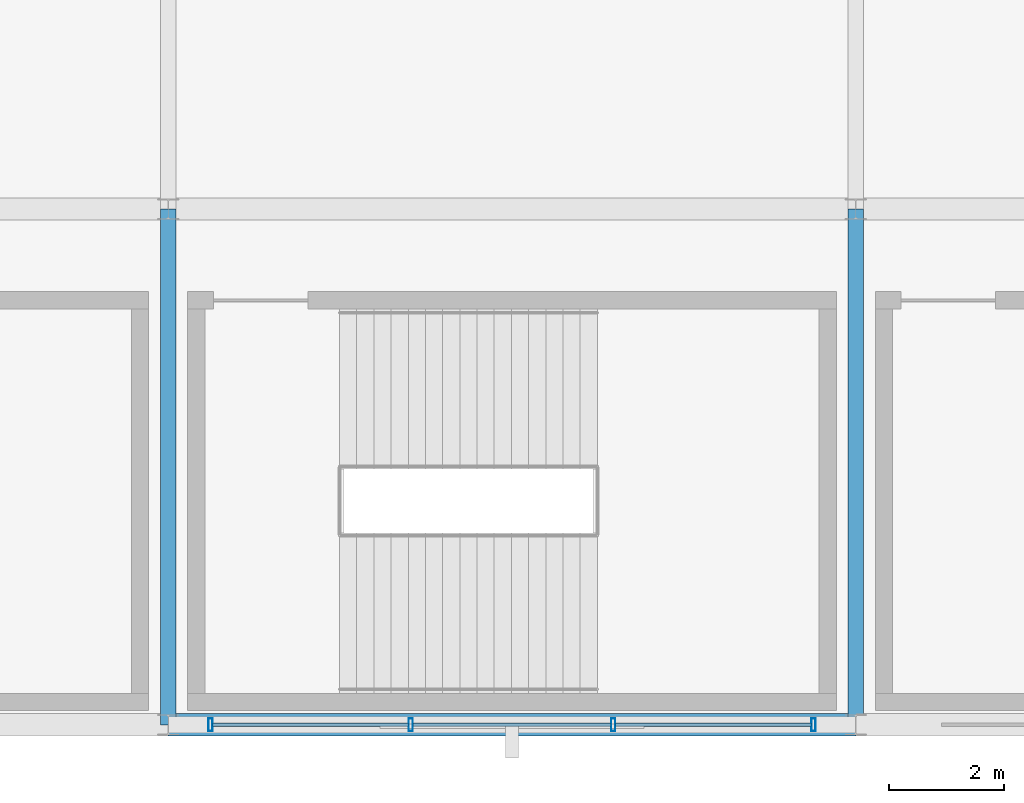
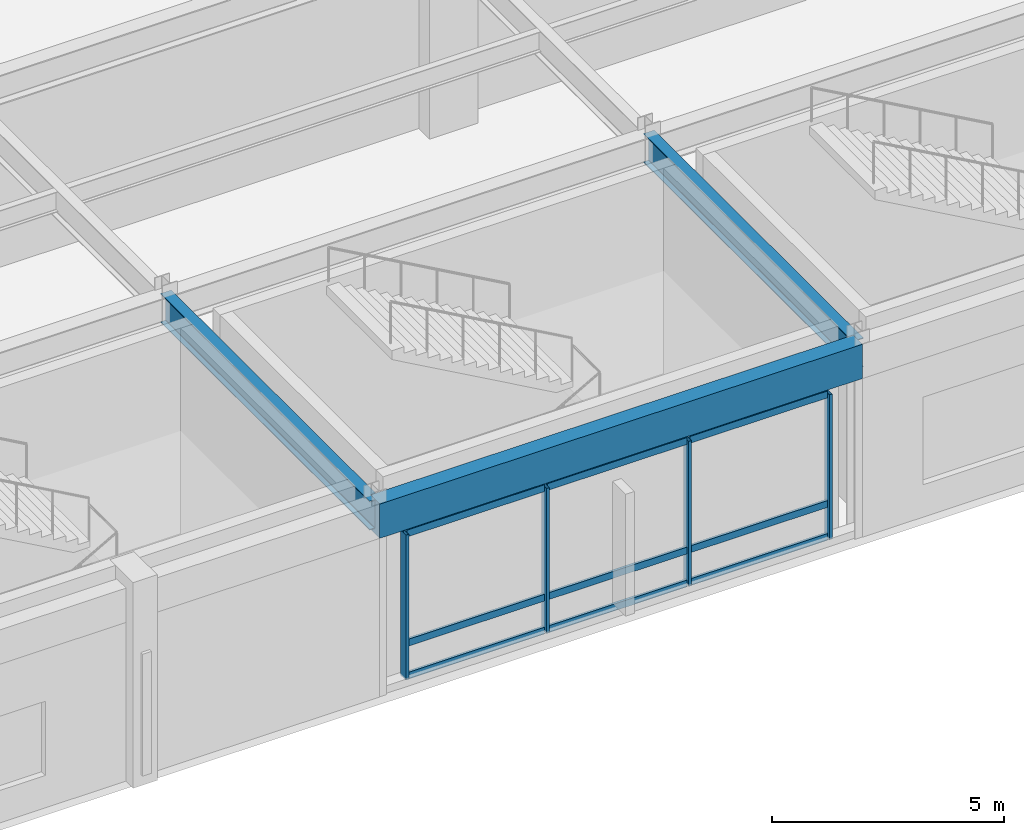
# One storey, part 27 of 100: 13 members, 3 beams, 1 element without a shape of its own.
"""IFC4 building model written with IfcOpenShell, lengths in metres."""

from ifc_helpers import new_model, si_unit, direction, frame, origin, origin_2d, place, context, subcontext, project, spatial, rectangle, hollow_rectangle, i_section, extrude, material, material_profile, profile_set, type_object, element, aggregate, save


model = new_model("IFC4")

# Units and contexts
model_context = context("Model", 3, precision=1e-05, world=origin(), true_north=direction((0.0, 1.0)))
body_context = subcontext(model_context, "Body", "Model", "MODEL_VIEW")
ifc_project = project(units=[si_unit("LENGTHUNIT", "METRE"), si_unit("AREAUNIT", "SQUARE_METRE"), si_unit("VOLUMEUNIT", "CUBIC_METRE"), si_unit("PLANEANGLEUNIT", "RADIAN"), si_unit("MASSUNIT", "GRAM", prefix="KILO")], contexts=[model_context])

# Site, building, storey
site_placement = place(None, origin())
site = spatial("IfcSite", under=ifc_project, at=site_placement, CompositionType="ELEMENT")
building_placement = place(site_placement, origin())
building = spatial("IfcBuilding", under=site, at=building_placement, Name="Kaldorvane Square Convention Centre", CompositionType="ELEMENT")
storey_placement = place(building_placement, frame((0.0, 0.0, 18.0)))
storey = spatial("IfcBuildingStorey", under=building, at=storey_placement, Name="L03", CompositionType="ELEMENT", Elevation=18.0)

# Beams
ifc_material_1 = material(Name="Steel ASTM A992 Gr. 50", Category="steel")
ifc_material_profile_1 = material_profile(ifc_material_1, i_section(OverallWidth=0.2666015625, OverallDepth=0.762298583984375, WebThickness=0.014404296875, FlangeThickness=0.0216064453125, FilletRadius=0.0164947509765625, at=origin_2d()), Name="W30X116")
ifc_profile_set_1 = profile_set([ifc_material_profile_1], Name="Steel ASTM A992 Gr. 50")
beam_type_1 = type_object("IfcBeamType", Name="BM-GR-W30X116", PredefinedType="BEAM", material=ifc_profile_set_1)
for number, where, z_axis, x_axis, name in (
    (1, (66.0, 0.0, 4.694793701171875), (0.0, 1.0, 0.0), (-1.0, 0.0, 0.0), "Transverse Girder (L03)"),
    (2, (78.0, 0.0, 4.694793701171875), (0.0, 1.0, 0.0), (-1.0, 0.0, 0.0), "Transverse Girder (L03)"),
):
    element("IfcBeam", number, at=place(storey_placement, frame(where, z_axis=z_axis, x_axis=x_axis)), inside=storey, type_object=beam_type_1, Name=name, PredefinedType="BEAM", context=body_context, shape_type="SweptSolid", body=[
        extrude(i_section(OverallWidth=0.2666015625, OverallDepth=0.762298583984375, WebThickness=0.014404296875, FlangeThickness=0.0216064453125, FilletRadius=0.0164947509765625, at=origin_2d()), origin(), (0.0, 0.0, 1.0), 9.0),
    ])
ifc_material_2 = material(Name="Concrete f'c = 42 MPa (Normalweight)", Category="concrete")
ifc_material_profile_2 = material_profile(ifc_material_2, rectangle(XDim=0.399993896484375, YDim=0.899993896484375, at=origin_2d()), Name="RCSP900X400")
ifc_profile_set_2 = profile_set([ifc_material_profile_2], Name="Concrete f'c = 42 MPa (Normalweight)")
beam_type_2 = type_object("IfcBeamType", Name="BM-SP-RC900", PredefinedType="SPANDREL", material=ifc_profile_set_2)
beam_placement = place(storey_placement, frame((66.0, 0.0, 4.626007080078125), z_axis=(1.0, 0.0, 0.0), x_axis=(0.0, 1.0, 0.0)))
element("IfcBeam", 3, at=beam_placement, inside=storey, type_object=beam_type_2, Name="Perimeter Spandrel (L03)", PredefinedType="SPANDREL", context=body_context, shape_type="SweptSolid", body=[
    extrude(rectangle(XDim=0.399993896484375, YDim=0.899993896484375, at=origin_2d()), origin(), (0.0, 0.0, 1.0), 12.0),
])

# Curtain wall, members
ifc_material_3 = material(Name="Anodized Aluminum and Low-E Insulated Glazing", Category="aluminium")
curtain_wall_type = type_object("IfcCurtainWallType", Name="CW-UNI-P54-12", PredefinedType="USERDEFINED", material=ifc_material_3)
curtain_wall_placement = place(storey_placement, origin())
curtain_wall = element("IfcCurtainWall", 4, at=curtain_wall_placement, inside=storey, type_object=curtain_wall_type, Name="Curtain Wall CW-03 (L03)", ObjectType="UNITISED GLAZING", PredefinedType="USERDEFINED")
ifc_material_profile_3 = material_profile(ifc_material_3, hollow_rectangle(XDim=0.0749969482421875, YDim=0.220001220703125, WallThickness=0.003997802734375, at=origin_2d()), Name="CWM-220X75")
ifc_profile_set_3 = profile_set([ifc_material_profile_3], Name="Anodized Aluminum and Low-E Insulated Glazing")
member_type_1 = type_object("IfcMemberType", Name="CW-MUL-220", PredefinedType="MULLION", material=ifc_profile_set_3)
member_1_placement = place(storey_placement, frame((66.73750305175781, 0.0, 0.149993896484375), z_axis=(0.0, 0.0, 1.0), x_axis=(1.0, 0.0, 0.0)))
member_1 = element("IfcMember", 5, at=member_1_placement, type_object=member_type_1, Name="CW-03 mullion 1", PredefinedType="MULLION", context=body_context, shape_type="SweptSolid", body=[
    extrude(hollow_rectangle(XDim=0.0749969482421875, YDim=0.220001220703125, WallThickness=0.003997802734375, at=origin_2d()), origin(), (0.0, 0.0, 1.0), 3.8100128173828125),
])
member_2_placement = place(storey_placement, frame((70.23333740234375, 0.0, 0.149993896484375), z_axis=(0.0, 0.0, 1.0), x_axis=(1.0, 0.0, 0.0)))
member_2 = element("IfcMember", 6, at=member_2_placement, type_object=member_type_1, Name="CW-03 mullion 2", PredefinedType="MULLION", context=body_context, shape_type="SweptSolid", body=[
    extrude(hollow_rectangle(XDim=0.0749969482421875, YDim=0.220001220703125, WallThickness=0.003997802734375, at=origin_2d()), origin(), (0.0, 0.0, 1.0), 3.8100128173828125),
])
member_3_placement = place(storey_placement, frame((73.76666259765625, 0.0, 0.149993896484375), z_axis=(0.0, 0.0, 1.0), x_axis=(1.0, 0.0, 0.0)))
member_3 = element("IfcMember", 7, at=member_3_placement, type_object=member_type_1, Name="CW-03 mullion 3", PredefinedType="MULLION", context=body_context, shape_type="SweptSolid", body=[
    extrude(hollow_rectangle(XDim=0.0749969482421875, YDim=0.220001220703125, WallThickness=0.003997802734375, at=origin_2d()), origin(), (0.0, 0.0, 1.0), 3.8100128173828125),
])
member_4_placement = place(storey_placement, frame((77.26249694824219, 0.0, 0.149993896484375), z_axis=(0.0, 0.0, 1.0), x_axis=(1.0, 0.0, 0.0)))
member_4 = element("IfcMember", 8, at=member_4_placement, type_object=member_type_1, Name="CW-03 mullion 4", PredefinedType="MULLION", context=body_context, shape_type="SweptSolid", body=[
    extrude(hollow_rectangle(XDim=0.0749969482421875, YDim=0.220001220703125, WallThickness=0.003997802734375, at=origin_2d()), origin(), (0.0, 0.0, 1.0), 3.8100128173828125),
])
ifc_material_profile_4 = material_profile(ifc_material_3, hollow_rectangle(XDim=0.06500244140625, YDim=0.17999267578125, WallThickness=0.0034942626953125, at=origin_2d()), Name="CWT-180X65")
ifc_profile_set_4 = profile_set([ifc_material_profile_4], Name="Anodized Aluminum and Low-E Insulated Glazing")
member_type_2 = type_object("IfcMemberType", Name="CW-TRN-180", PredefinedType="USERDEFINED", material=ifc_profile_set_4)
member_5_placement = place(storey_placement, frame((66.77499389648438, 0.0, 0.1824951171875), z_axis=(1.0, 0.0, 0.0), x_axis=(0.0, 1.0, 0.0)))
member_5 = element("IfcMember", 9, at=member_5_placement, type_object=member_type_2, Name="CW-03 transom 1.1", ObjectType="TRANSOM", PredefinedType="USERDEFINED", context=body_context, shape_type="SweptSolid", body=[
    extrude(hollow_rectangle(XDim=0.06500244140625, YDim=0.17999267578125, WallThickness=0.0034942626953125, at=origin_2d()), origin(), (0.0, 0.0, 1.0), 3.42083740234375),
])
member_6_placement = place(storey_placement, frame((66.77499389648438, 0.0, 1.0500030517578125), z_axis=(1.0, 0.0, 0.0), x_axis=(0.0, 1.0, 0.0)))
member_6 = element("IfcMember", 10, at=member_6_placement, type_object=member_type_2, Name="CW-03 transom 1.2", ObjectType="TRANSOM", PredefinedType="USERDEFINED", context=body_context, shape_type="SweptSolid", body=[
    extrude(hollow_rectangle(XDim=0.06500244140625, YDim=0.17999267578125, WallThickness=0.0034942626953125, at=origin_2d()), origin(), (0.0, 0.0, 1.0), 3.42083740234375),
])
member_7_placement = place(storey_placement, frame((66.77499389648438, 0.0, 3.9275054931640625), z_axis=(1.0, 0.0, 0.0), x_axis=(0.0, 1.0, 0.0)))
member_7 = element("IfcMember", 11, at=member_7_placement, type_object=member_type_2, Name="CW-03 transom 1.3", ObjectType="TRANSOM", PredefinedType="USERDEFINED", context=body_context, shape_type="SweptSolid", body=[
    extrude(hollow_rectangle(XDim=0.06500244140625, YDim=0.17999267578125, WallThickness=0.0034942626953125, at=origin_2d()), origin(), (0.0, 0.0, 1.0), 3.42083740234375),
])
member_8_placement = place(storey_placement, frame((70.27082824707031, 0.0, 0.1824951171875), z_axis=(1.0, 0.0, 0.0), x_axis=(0.0, 1.0, 0.0)))
member_8 = element("IfcMember", 12, at=member_8_placement, type_object=member_type_2, Name="CW-03 transom 2.1", ObjectType="TRANSOM", PredefinedType="USERDEFINED", context=body_context, shape_type="SweptSolid", body=[
    extrude(hollow_rectangle(XDim=0.06500244140625, YDim=0.17999267578125, WallThickness=0.0034942626953125, at=origin_2d()), origin(), (0.0, 0.0, 1.0), 3.458343505859375),
])
member_9_placement = place(storey_placement, frame((70.27082824707031, 0.0, 1.0500030517578125), z_axis=(1.0, 0.0, 0.0), x_axis=(0.0, 1.0, 0.0)))
member_9 = element("IfcMember", 13, at=member_9_placement, type_object=member_type_2, Name="CW-03 transom 2.2", ObjectType="TRANSOM", PredefinedType="USERDEFINED", context=body_context, shape_type="SweptSolid", body=[
    extrude(hollow_rectangle(XDim=0.06500244140625, YDim=0.17999267578125, WallThickness=0.0034942626953125, at=origin_2d()), origin(), (0.0, 0.0, 1.0), 3.458343505859375),
])
member_10_placement = place(storey_placement, frame((70.27082824707031, 0.0, 3.9275054931640625), z_axis=(1.0, 0.0, 0.0), x_axis=(0.0, 1.0, 0.0)))
member_10 = element("IfcMember", 14, at=member_10_placement, type_object=member_type_2, Name="CW-03 transom 2.3", ObjectType="TRANSOM", PredefinedType="USERDEFINED", context=body_context, shape_type="SweptSolid", body=[
    extrude(hollow_rectangle(XDim=0.06500244140625, YDim=0.17999267578125, WallThickness=0.0034942626953125, at=origin_2d()), origin(), (0.0, 0.0, 1.0), 3.458343505859375),
])
member_11_placement = place(storey_placement, frame((73.80416870117188, 0.0, 0.1824951171875), z_axis=(1.0, 0.0, 0.0), x_axis=(0.0, 1.0, 0.0)))
member_11 = element("IfcMember", 15, at=member_11_placement, type_object=member_type_2, Name="CW-03 transom 3.1", ObjectType="TRANSOM", PredefinedType="USERDEFINED", context=body_context, shape_type="SweptSolid", body=[
    extrude(hollow_rectangle(XDim=0.06500244140625, YDim=0.17999267578125, WallThickness=0.0034942626953125, at=origin_2d()), origin(), (0.0, 0.0, 1.0), 3.42083740234375),
])
member_12_placement = place(storey_placement, frame((73.80416870117188, 0.0, 1.0500030517578125), z_axis=(1.0, 0.0, 0.0), x_axis=(0.0, 1.0, 0.0)))
member_12 = element("IfcMember", 16, at=member_12_placement, type_object=member_type_2, Name="CW-03 transom 3.2", ObjectType="TRANSOM", PredefinedType="USERDEFINED", context=body_context, shape_type="SweptSolid", body=[
    extrude(hollow_rectangle(XDim=0.06500244140625, YDim=0.17999267578125, WallThickness=0.0034942626953125, at=origin_2d()), origin(), (0.0, 0.0, 1.0), 3.42083740234375),
])
member_13_placement = place(storey_placement, frame((73.80416870117188, 0.0, 3.9275054931640625), z_axis=(1.0, 0.0, 0.0), x_axis=(0.0, 1.0, 0.0)))
member_13 = element("IfcMember", 17, at=member_13_placement, type_object=member_type_2, Name="CW-03 transom 3.3", ObjectType="TRANSOM", PredefinedType="USERDEFINED", context=body_context, shape_type="SweptSolid", body=[
    extrude(hollow_rectangle(XDim=0.06500244140625, YDim=0.17999267578125, WallThickness=0.0034942626953125, at=origin_2d()), origin(), (0.0, 0.0, 1.0), 3.42083740234375),
])
aggregate(curtain_wall, [member_1, member_2, member_3, member_4, member_5, member_6, member_7, member_8, member_9, member_10, member_11, member_12, member_13])

save(model, "model.ifc")
